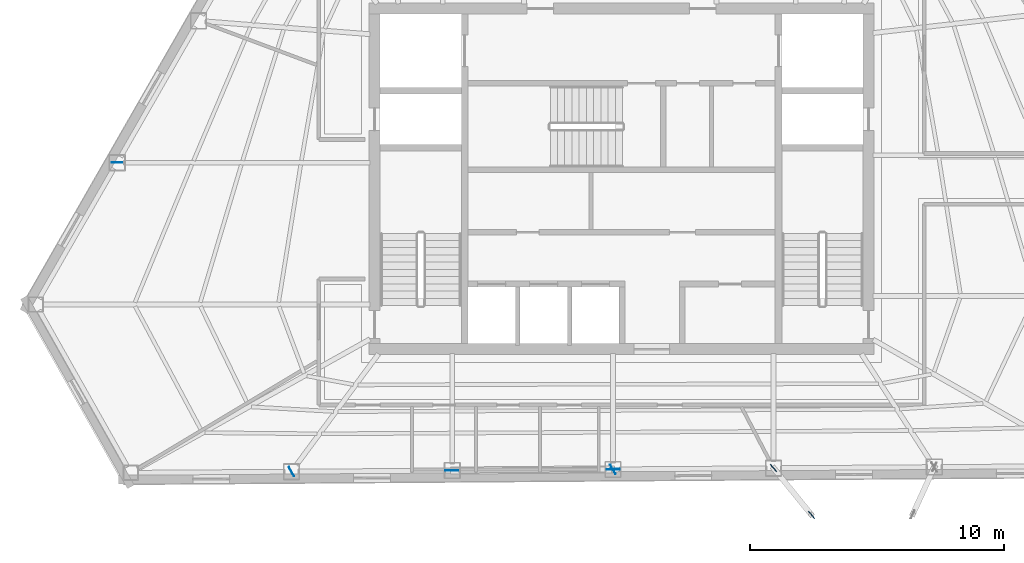
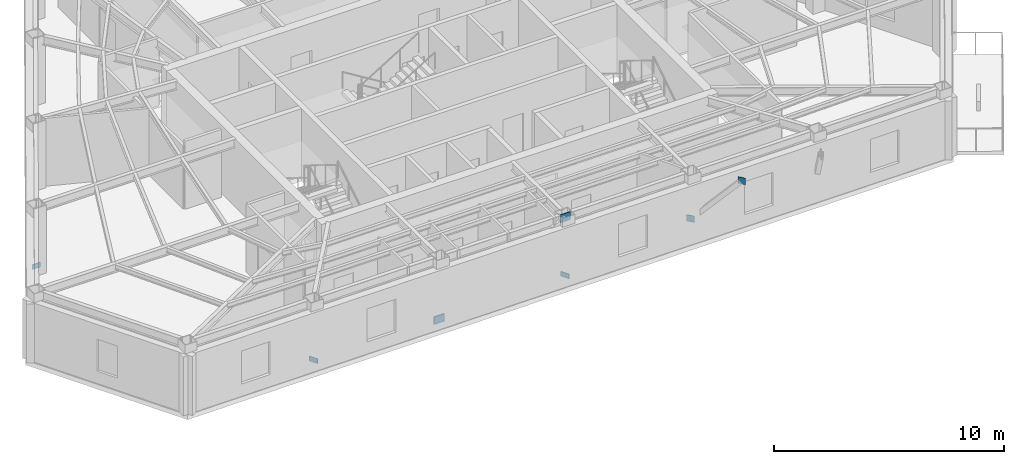
# One storey, part 4 of 12: 7 plates.
"""IFC4 building model written with IfcOpenShell, lengths in metres."""

import ifcopenshell
import ifcopenshell.guid

model = None  # the IFC model being written
_history = None  # IfcOwnerHistory: only IFC2X3 demands one
_inside = {}  # id of a spatial element -> (the spatial element, [elements in it])
_under = {}  # id of a project, library or spatial element -> (it, [spatial elements below it])
_declared = {}  # id of a project -> (the project, [libraries it declares])
_typed = {}  # id of a type object -> (the type object, [elements of that type])
_made_of = {}  # id of a material, layer set ... -> (it, [elements and type objects made of it])


def new_model(schema):
    """Start an empty IFC model of exactly this schema.

    Asked for "IFC4X3", IfcOpenShell would pick the latest addendum, in which some entities
    have other attributes; the version numbers below select the first issue.
    IFC2X3 requires an IfcOwnerHistory on every rooted entity: one is made here for all.
    """
    global model, _history
    if schema == "IFC4X3":
        model = ifcopenshell.file(schema_version=(4, 3, 0, 0))
    else:
        model = ifcopenshell.file(schema=schema)
    _inside.clear()
    _under.clear()
    _declared.clear()
    _typed.clear()
    _made_of.clear()
    _history = None
    if model.schema == "IFC2X3":
        org = make("IfcOrganization", Name="unknown")
        user = make(
            "IfcPersonAndOrganization",
            ThePerson=make("IfcPerson", FamilyName="unknown"),
            TheOrganization=org,
        )
        app = make(
            "IfcApplication",
            ApplicationDeveloper=org,
            Version="unknown",
            ApplicationFullName="unknown",
            ApplicationIdentifier="unknown",
        )
        _history = make(
            "IfcOwnerHistory",
            OwningUser=user,
            OwningApplication=app,
            ChangeAction="ADDED",
            CreationDate=0,
        )
    return model


def make(cls, **values):
    """One entity of the class cls with the attributes given. An attribute that is None is left unset."""
    return model.create_entity(
        cls, **{name: value for name, value in values.items() if value is not None}
    )


def rooted(cls, **values):
    """An entity with a GlobalId (a new one), such as an element, a storey or a relation."""
    return make(cls, GlobalId=ifcopenshell.guid.new(), OwnerHistory=_history, **values)


def si_unit(unit_type, name, prefix=None):
    """IfcSIUnit, for example si_unit("LENGTHUNIT", "METRE", prefix="MILLI")."""
    return make("IfcSIUnit", UnitType=unit_type, Prefix=prefix, Name=name)


def assignment(units):
    """IfcUnitAssignment: the units of a project."""
    return None if units is None else make("IfcUnitAssignment", Units=units)


def point(xyz):
    """IfcCartesianPoint."""
    return None if xyz is None else make("IfcCartesianPoint", Coordinates=xyz)


def direction(xyz):
    """IfcDirection."""
    return None if xyz is None else make("IfcDirection", DirectionRatios=xyz)


def frame(location, z_axis=None, x_axis=None):
    """IfcAxis2Placement3D, a coordinate frame: its origin and axes. An axis left out is left unset."""
    return make(
        "IfcAxis2Placement3D",
        Location=point(location),
        Axis=direction(z_axis),
        RefDirection=direction(x_axis),
    )


def frame_2d(location, x_axis=None):
    """IfcAxis2Placement2D, a coordinate frame in the plane: its origin and x axis."""
    return make(
        "IfcAxis2Placement2D", Location=point(location), RefDirection=direction(x_axis)
    )


def origin():
    """The frame at (0, 0, 0) with its axes left unset."""
    return frame((0.0, 0.0, 0.0))


def origin_2d():
    """The frame at (0, 0) in the plane with its x axis left unset."""
    return frame_2d((0.0, 0.0))


def place(relative_to, where):
    """IfcLocalPlacement: puts the frame where relative to a parent placement (None: the world)."""
    return make(
        "IfcLocalPlacement", PlacementRelTo=relative_to, RelativePlacement=where
    )


def context(
    kind, dimensions, precision=None, world=None, true_north=None, identifier=None
):
    """IfcGeometricRepresentationContext, for example the 3D "Model" context."""
    return make(
        "IfcGeometricRepresentationContext",
        ContextIdentifier=identifier,
        ContextType=kind,
        CoordinateSpaceDimension=dimensions,
        Precision=precision,
        WorldCoordinateSystem=world,
        TrueNorth=true_north,
    )


def subcontext(parent, identifier, kind, view, scale=None):
    """IfcGeometricRepresentationSubContext, for example "Body" below "Model"."""
    return make(
        "IfcGeometricRepresentationSubContext",
        ContextIdentifier=identifier,
        ContextType=kind,
        ParentContext=parent,
        TargetScale=scale,
        TargetView=view,
    )


def project(units=None, contexts=None):
    """IfcProject with its units and contexts."""
    return rooted(
        "IfcProject",
        Name="project",
        RepresentationContexts=contexts,
        UnitsInContext=assignment(units),
    )


def spatial(cls, under=None, at=None, **own):
    """A site, building, storey or space (cls), placed at a placement, below another one or the project."""
    s = rooted(cls, ObjectPlacement=at, **own)
    if under is not None:
        _under.setdefault(under.id(), (under, []))[1].append(s)
    return s


def profile(cls, at=None, kind="AREA", **sizes):
    """A parametric profile (cls). Its sizes go by their IFC names, for example OverallWidth=200.0."""
    return make(cls, ProfileType=kind, Position=at, **sizes)


def rectangle(**sizes):
    """IfcRectangleProfileDef."""
    return profile("IfcRectangleProfileDef", **sizes)


def extrude(swept, where, along, depth):
    """IfcExtrudedAreaSolid: the profile swept, set in the frame where, extruded along a direction by depth."""
    return make(
        "IfcExtrudedAreaSolid",
        SweptArea=swept,
        Position=where,
        ExtrudedDirection=direction(along),
        Depth=depth,
    )


def shape(context_of_items, identifier, shape_type, items):
    """IfcShapeRepresentation: the items that make up one representation, for example the "Body"."""
    return make(
        "IfcShapeRepresentation",
        ContextOfItems=context_of_items,
        RepresentationIdentifier=identifier,
        RepresentationType=shape_type,
        Items=items,
    )


def material(Name=None, Category=None):
    """IfcMaterial."""
    return make("IfcMaterial", Name=Name, Category=Category)


def layer(
    of_material, thickness, ventilated=None, Name=None, Category=None, Priority=None
):
    """IfcMaterialLayer: one layer of a wall or slab, of a material (None: an air gap)."""
    return make(
        "IfcMaterialLayer",
        Material=of_material,
        LayerThickness=thickness,
        IsVentilated=ventilated,
        Name=Name,
        Category=Category,
        Priority=Priority,
    )


def layer_set(layers, Name=None):
    """IfcMaterialLayerSet."""
    return make("IfcMaterialLayerSet", MaterialLayers=layers, LayerSetName=Name)


def made_of(thing, what):
    """Note that an element or type object is made of a material, layer set ...; save() writes the relation."""
    if what is not None:
        _made_of.setdefault(what.id(), (what, []))[1].append(thing)
    return thing


def type_object(cls, material=None, **own):
    """A type object (cls), such as IfcWallType, which elements share."""
    return made_of(rooted(cls, **own), material)


def element(
    cls,
    number,
    at=None,
    inside=None,
    cuts=None,
    type_object=None,
    material=None,
    context=None,
    identifier="Body",
    shape_type=None,
    held_by="IfcProductDefinitionShape",
    body=None,
    shapes=None,
    **own,
):
    """One element of the class cls, such as IfcWall. Its Tag is "e" and its number.

    at: its placement. inside: the storey or other place that contains it. cuts: it is an
    opening in that element (IfcRelVoidsElement). A single representation is given by context,
    identifier, shape_type and body (its items); several are given by shapes. held_by: the class
    of the entity that holds the representations. save() writes the other relations.
    """
    e = rooted(cls, Tag="e%d" % number, ObjectPlacement=at, **own)
    if body is not None:
        shapes = [shape(context, identifier, shape_type, body)]
    if shapes is not None:
        e.Representation = make(held_by, Representations=shapes)
    if inside is not None:
        _inside.setdefault(inside.id(), (inside, []))[1].append(e)
    if cuts is not None:
        rooted(
            "IfcRelVoidsElement", RelatingBuildingElement=cuts, RelatedOpeningElement=e
        )
    if type_object is not None:
        _typed.setdefault(type_object.id(), (type_object, []))[1].append(e)
    return made_of(e, material)


def aggregate(whole, parts):
    """IfcRelAggregates: a whole, such as a stair, and the parts it consists of."""
    return rooted("IfcRelAggregates", RelatingObject=whole, RelatedObjects=parts)


def save(model, path):
    """Write the relations noted so far, then the file.

    IfcRelAggregates (storeys below a building ...), IfcRelContainedInSpatialStructure (elements
    in a storey), IfcRelDefinesByType, IfcRelAssociatesMaterial and IfcRelDeclares: one each for
    every whole, place, type object, material and project.
    """
    for whole, parts in _under.values():
        aggregate(whole, parts)
    for where, things in _inside.values():
        rooted(
            "IfcRelContainedInSpatialStructure",
            RelatedElements=things,
            RelatingStructure=where,
        )
    for kind, things in _typed.values():
        rooted("IfcRelDefinesByType", RelatedObjects=things, RelatingType=kind)
    for what, things in _made_of.values():
        rooted("IfcRelAssociatesMaterial", RelatedObjects=things, RelatingMaterial=what)
    for by, libraries in _declared.values():
        rooted("IfcRelDeclares", RelatingContext=by, RelatedDefinitions=libraries)
    model.write(path)


model = new_model("IFC4")

# Units and contexts
model_context = context("Model", 3, precision=1e-05, world=origin(), true_north=direction((0.0, 1.0)))
body_context = subcontext(model_context, "Body", "Model", "MODEL_VIEW")
ifc_project = project(units=[si_unit("LENGTHUNIT", "METRE"), si_unit("AREAUNIT", "SQUARE_METRE"), si_unit("VOLUMEUNIT", "CUBIC_METRE"), si_unit("PLANEANGLEUNIT", "RADIAN"), si_unit("MASSUNIT", "GRAM", prefix="KILO")], contexts=[model_context])

# Site, building, storey
site_placement = place(None, origin())
site = spatial("IfcSite", under=ifc_project, at=site_placement, CompositionType="ELEMENT")
building_placement = place(site_placement, origin())
building = spatial("IfcBuilding", under=site, at=building_placement, Name="Kavelnor Concourse Tower", CompositionType="ELEMENT")
storey_placement = place(building_placement, frame((0.0, 0.0, 226.60009765625)))
storey = spatial("IfcBuildingStorey", under=building, at=storey_placement, Name="L57", CompositionType="ELEMENT", Elevation=226.60009765625)

# Plates
ifc_material = material(Name="Steel Grade 350", Category="steel")
ifc_layer_1 = layer(ifc_material, 0.028076171875, Name="Steel Grade 350")
ifc_layer_set_1 = layer_set([ifc_layer_1], Name="Steel Grade 350")
plate_type_1 = type_object("IfcPlateType", Name="PL-GUSSET-FOLD", PredefinedType="USERDEFINED", material=ifc_layer_set_1)
for number, where, z_axis, x_axis, name in (
    (1, (43.991943359375, 4.69189453125, 0.8798828125), (0.0, 0.0, 1.0), (0.629998339126, -0.776596479968, 0.0), "L57 Balcony Strut Gusset GP4 1-A End Gusset A"),
    (2, (45.494140625, 2.8408203125, 3.48486328125), (0.0, 0.0, 1.0), (0.629998339126, -0.776596479968, 0.0), "L57 Balcony Strut Gusset GP4 1-A End Gusset B"),
):
    element("IfcPlate", number, at=place(storey_placement, frame(where, z_axis=z_axis, x_axis=x_axis)), inside=storey, type_object=plate_type_1, Name=name, ObjectType="GUSSET_PLATE", PredefinedType="USERDEFINED", context=body_context, shape_type="SweptSolid", body=[
        extrude(rectangle(XDim=0.360107421875, YDim=0.028076171875, at=origin_2d()), origin(), (0.0, 0.0, 1.0), 0.340087890625),
    ])
ifc_layer_2 = layer(ifc_material, 0.031982421875, Name="Steel Grade 350")
ifc_layer_set_2 = layer_set([ifc_layer_2], Name="Steel Grade 350")
plate_type_2 = type_object("IfcPlateType", Name="PL-GUSSET-TUBE-Z1", PredefinedType="USERDEFINED", material=ifc_layer_set_2)
for number, where, z_axis, x_axis, name in (
    (3, (31.30908203125, 4.591796875, 0.010009765625), (0.0, 0.0, 1.0), (0.999974397015, 0.007155788863, 0.0), "L57 Tube Brace Gusset GP3 F1-B2 End Gusset A"),
    (4, (37.67236328125, 4.637451171875, 3.159912109375), (0.0, 0.0, 1.0), (0.999974397015, 0.007155788863, 0.0), "L57 Tube Brace Gusset GP3 F1-B2 End Gusset B"),
):
    element("IfcPlate", number, at=place(storey_placement, frame(where, z_axis=z_axis, x_axis=x_axis)), inside=storey, type_object=plate_type_2, Name=name, ObjectType="GUSSET_PLATE", PredefinedType="USERDEFINED", context=body_context, shape_type="SweptSolid", body=[
        extrude(rectangle(XDim=0.52001953125, YDim=0.031982421875, at=origin_2d()), origin(), (0.0, 0.0, 1.0), 0.419921875),
    ])
ifc_layer_3 = layer(ifc_material, 0.02490234375, Name="Steel Grade 350")
ifc_layer_set_3 = layer_set([ifc_layer_3], Name="Steel Grade 350")
plate_type_3 = type_object("IfcPlateType", Name="PL-SPLICE-FLANGE", PredefinedType="SHEET", material=ifc_layer_set_3)
for number, where, z_axis, x_axis, name in (
    (5, (18.104736328125, 16.735107421875, 0.169921875), (0.0, 0.0, 1.0), (1.0, 0.0, 0.0), "L57 Column Flange Splice Plate F0-B5"),
    (6, (24.981689453125, 4.546630859375, 0.169921875), (0.0, 0.0, 1.0), (-0.5, 0.866025403784, 0.0), "L57 Column Flange Splice Plate F1-B1"),
    (7, (37.660400390625, 4.63720703125, 0.169921875), (0.0, 0.0, 1.0), (-0.5, 0.866025403784, 0.0), "L57 Column Flange Splice Plate F1-B3"),
):
    element("IfcPlate", number, at=place(storey_placement, frame(where, z_axis=z_axis, x_axis=x_axis)), inside=storey, type_object=plate_type_3, Name=name, PredefinedType="SHEET", context=body_context, shape_type="SweptSolid", body=[
        extrude(rectangle(XDim=0.419921875, YDim=0.02490234375, at=origin_2d()), origin(), (0.0, 0.0, 1.0), 0.260009765625),
    ])

save(model, "model.ifc")
